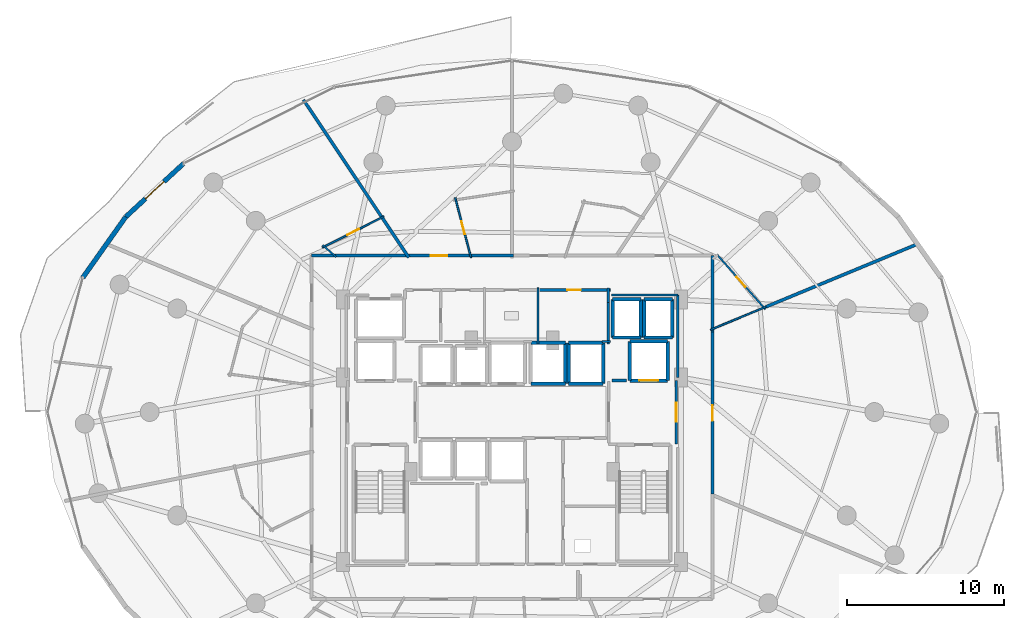
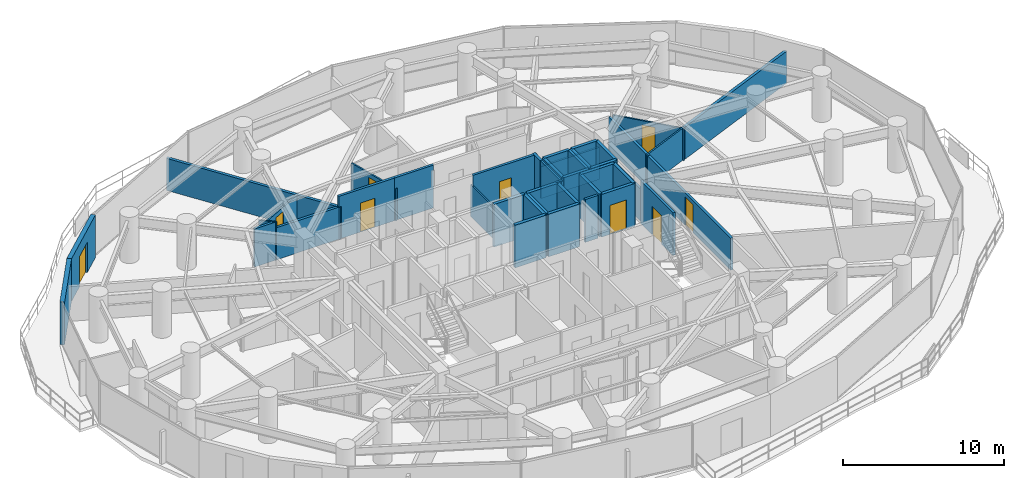
# One storey, part 30 of 35: 44 walls, 9 doors, 9 openings.
"""IFC4 building model written with IfcOpenShell, lengths in metres."""

import ifcopenshell
import ifcopenshell.guid

model = None  # the IFC model being written
_history = None  # IfcOwnerHistory: only IFC2X3 demands one
_inside = {}  # id of a spatial element -> (the spatial element, [elements in it])
_under = {}  # id of a project, library or spatial element -> (it, [spatial elements below it])
_declared = {}  # id of a project -> (the project, [libraries it declares])
_typed = {}  # id of a type object -> (the type object, [elements of that type])
_made_of = {}  # id of a material, layer set ... -> (it, [elements and type objects made of it])


def new_model(schema):
    """Start an empty IFC model of exactly this schema.

    Asked for "IFC4X3", IfcOpenShell would pick the latest addendum, in which some entities
    have other attributes; the version numbers below select the first issue.
    IFC2X3 requires an IfcOwnerHistory on every rooted entity: one is made here for all.
    """
    global model, _history
    if schema == "IFC4X3":
        model = ifcopenshell.file(schema_version=(4, 3, 0, 0))
    else:
        model = ifcopenshell.file(schema=schema)
    _inside.clear()
    _under.clear()
    _declared.clear()
    _typed.clear()
    _made_of.clear()
    _history = None
    if model.schema == "IFC2X3":
        org = make("IfcOrganization", Name="unknown")
        user = make(
            "IfcPersonAndOrganization",
            ThePerson=make("IfcPerson", FamilyName="unknown"),
            TheOrganization=org,
        )
        app = make(
            "IfcApplication",
            ApplicationDeveloper=org,
            Version="unknown",
            ApplicationFullName="unknown",
            ApplicationIdentifier="unknown",
        )
        _history = make(
            "IfcOwnerHistory",
            OwningUser=user,
            OwningApplication=app,
            ChangeAction="ADDED",
            CreationDate=0,
        )
    return model


def make(cls, **values):
    """One entity of the class cls with the attributes given. An attribute that is None is left unset."""
    return model.create_entity(
        cls, **{name: value for name, value in values.items() if value is not None}
    )


def rooted(cls, **values):
    """An entity with a GlobalId (a new one), such as an element, a storey or a relation."""
    return make(cls, GlobalId=ifcopenshell.guid.new(), OwnerHistory=_history, **values)


def si_unit(unit_type, name, prefix=None):
    """IfcSIUnit, for example si_unit("LENGTHUNIT", "METRE", prefix="MILLI")."""
    return make("IfcSIUnit", UnitType=unit_type, Prefix=prefix, Name=name)


def assignment(units):
    """IfcUnitAssignment: the units of a project."""
    return None if units is None else make("IfcUnitAssignment", Units=units)


def point(xyz):
    """IfcCartesianPoint."""
    return None if xyz is None else make("IfcCartesianPoint", Coordinates=xyz)


def direction(xyz):
    """IfcDirection."""
    return None if xyz is None else make("IfcDirection", DirectionRatios=xyz)


def frame(location, z_axis=None, x_axis=None):
    """IfcAxis2Placement3D, a coordinate frame: its origin and axes. An axis left out is left unset."""
    return make(
        "IfcAxis2Placement3D",
        Location=point(location),
        Axis=direction(z_axis),
        RefDirection=direction(x_axis),
    )


def frame_2d(location, x_axis=None):
    """IfcAxis2Placement2D, a coordinate frame in the plane: its origin and x axis."""
    return make(
        "IfcAxis2Placement2D", Location=point(location), RefDirection=direction(x_axis)
    )


def origin():
    """The frame at (0, 0, 0) with its axes left unset."""
    return frame((0.0, 0.0, 0.0))


def place(relative_to, where):
    """IfcLocalPlacement: puts the frame where relative to a parent placement (None: the world)."""
    return make(
        "IfcLocalPlacement", PlacementRelTo=relative_to, RelativePlacement=where
    )


def context(
    kind, dimensions, precision=None, world=None, true_north=None, identifier=None
):
    """IfcGeometricRepresentationContext, for example the 3D "Model" context."""
    return make(
        "IfcGeometricRepresentationContext",
        ContextIdentifier=identifier,
        ContextType=kind,
        CoordinateSpaceDimension=dimensions,
        Precision=precision,
        WorldCoordinateSystem=world,
        TrueNorth=true_north,
    )


def subcontext(parent, identifier, kind, view, scale=None):
    """IfcGeometricRepresentationSubContext, for example "Body" below "Model"."""
    return make(
        "IfcGeometricRepresentationSubContext",
        ContextIdentifier=identifier,
        ContextType=kind,
        ParentContext=parent,
        TargetScale=scale,
        TargetView=view,
    )


def project(units=None, contexts=None):
    """IfcProject with its units and contexts."""
    return rooted(
        "IfcProject",
        Name="project",
        RepresentationContexts=contexts,
        UnitsInContext=assignment(units),
    )


def spatial(cls, under=None, at=None, **own):
    """A site, building, storey or space (cls), placed at a placement, below another one or the project."""
    s = rooted(cls, ObjectPlacement=at, **own)
    if under is not None:
        _under.setdefault(under.id(), (under, []))[1].append(s)
    return s


def profile(cls, at=None, kind="AREA", **sizes):
    """A parametric profile (cls). Its sizes go by their IFC names, for example OverallWidth=200.0."""
    return make(cls, ProfileType=kind, Position=at, **sizes)


def rectangle(**sizes):
    """IfcRectangleProfileDef."""
    return profile("IfcRectangleProfileDef", **sizes)


def extrude(swept, where, along, depth):
    """IfcExtrudedAreaSolid: the profile swept, set in the frame where, extruded along a direction by depth."""
    return make(
        "IfcExtrudedAreaSolid",
        SweptArea=swept,
        Position=where,
        ExtrudedDirection=direction(along),
        Depth=depth,
    )


def shape(context_of_items, identifier, shape_type, items):
    """IfcShapeRepresentation: the items that make up one representation, for example the "Body"."""
    return make(
        "IfcShapeRepresentation",
        ContextOfItems=context_of_items,
        RepresentationIdentifier=identifier,
        RepresentationType=shape_type,
        Items=items,
    )


def material(Name=None, Category=None):
    """IfcMaterial."""
    return make("IfcMaterial", Name=Name, Category=Category)


def layer(
    of_material, thickness, ventilated=None, Name=None, Category=None, Priority=None
):
    """IfcMaterialLayer: one layer of a wall or slab, of a material (None: an air gap)."""
    return make(
        "IfcMaterialLayer",
        Material=of_material,
        LayerThickness=thickness,
        IsVentilated=ventilated,
        Name=Name,
        Category=Category,
        Priority=Priority,
    )


def layer_set(layers, Name=None):
    """IfcMaterialLayerSet."""
    return make("IfcMaterialLayerSet", MaterialLayers=layers, LayerSetName=Name)


def made_of(thing, what):
    """Note that an element or type object is made of a material, layer set ...; save() writes the relation."""
    if what is not None:
        _made_of.setdefault(what.id(), (what, []))[1].append(thing)
    return thing


def type_object(cls, material=None, **own):
    """A type object (cls), such as IfcWallType, which elements share."""
    return made_of(rooted(cls, **own), material)


def element(
    cls,
    number,
    at=None,
    inside=None,
    cuts=None,
    type_object=None,
    material=None,
    context=None,
    identifier="Body",
    shape_type=None,
    held_by="IfcProductDefinitionShape",
    body=None,
    shapes=None,
    **own,
):
    """One element of the class cls, such as IfcWall. Its Tag is "e" and its number.

    at: its placement. inside: the storey or other place that contains it. cuts: it is an
    opening in that element (IfcRelVoidsElement). A single representation is given by context,
    identifier, shape_type and body (its items); several are given by shapes. held_by: the class
    of the entity that holds the representations. save() writes the other relations.
    """
    e = rooted(cls, Tag="e%d" % number, ObjectPlacement=at, **own)
    if body is not None:
        shapes = [shape(context, identifier, shape_type, body)]
    if shapes is not None:
        e.Representation = make(held_by, Representations=shapes)
    if inside is not None:
        _inside.setdefault(inside.id(), (inside, []))[1].append(e)
    if cuts is not None:
        rooted(
            "IfcRelVoidsElement", RelatingBuildingElement=cuts, RelatedOpeningElement=e
        )
    if type_object is not None:
        _typed.setdefault(type_object.id(), (type_object, []))[1].append(e)
    return made_of(e, material)


def fill(opening, filler):
    """IfcRelFillsElement: the door or window that sits in an opening."""
    return rooted(
        "IfcRelFillsElement",
        RelatingOpeningElement=opening,
        RelatedBuildingElement=filler,
    )


def aggregate(whole, parts):
    """IfcRelAggregates: a whole, such as a stair, and the parts it consists of."""
    return rooted("IfcRelAggregates", RelatingObject=whole, RelatedObjects=parts)


def save(model, path):
    """Write the relations noted so far, then the file.

    IfcRelAggregates (storeys below a building ...), IfcRelContainedInSpatialStructure (elements
    in a storey), IfcRelDefinesByType, IfcRelAssociatesMaterial and IfcRelDeclares: one each for
    every whole, place, type object, material and project.
    """
    for whole, parts in _under.values():
        aggregate(whole, parts)
    for where, things in _inside.values():
        rooted(
            "IfcRelContainedInSpatialStructure",
            RelatedElements=things,
            RelatingStructure=where,
        )
    for kind, things in _typed.values():
        rooted("IfcRelDefinesByType", RelatedObjects=things, RelatingType=kind)
    for what, things in _made_of.values():
        rooted("IfcRelAssociatesMaterial", RelatedObjects=things, RelatingMaterial=what)
    for by, libraries in _declared.values():
        rooted("IfcRelDeclares", RelatingContext=by, RelatedDefinitions=libraries)
    model.write(path)


model = new_model("IFC4")

# Units and contexts
model_context = context("Model", 3, precision=1e-05, world=origin(), true_north=direction((0.0, 1.0)))
body_context = subcontext(model_context, "Body", "Model", "MODEL_VIEW")
ifc_project = project(units=[si_unit("LENGTHUNIT", "METRE"), si_unit("AREAUNIT", "SQUARE_METRE"), si_unit("VOLUMEUNIT", "CUBIC_METRE"), si_unit("PLANEANGLEUNIT", "RADIAN"), si_unit("MASSUNIT", "GRAM", prefix="KILO")], contexts=[model_context])

# Site, building, storey
site_placement = place(None, origin())
site = spatial("IfcSite", under=ifc_project, at=site_placement, CompositionType="ELEMENT")
building_placement = place(site_placement, origin())
building = spatial("IfcBuilding", under=site, at=building_placement, Name="Vorneva Point Tower", CompositionType="ELEMENT")
storey_placement = place(building_placement, frame((0.0, 0.0, 48.5)))
storey = spatial("IfcBuildingStorey", under=building, at=storey_placement, Name="L12", CompositionType="ELEMENT", Elevation=48.5)

# Wall, opening, door
ifc_material_1 = material(Name="Concrete B60 (C50/60)", Category="concrete")
ifc_layer_1 = layer(ifc_material_1, 0.5)
ifc_layer_set_1 = layer_set([ifc_layer_1], Name="Concrete B60 (C50/60)")
wall_type_1 = type_object("IfcWallType", Name="WL-CORE-500", PredefinedType="SHEAR", material=ifc_layer_set_1)
wall_1_placement = place(storey_placement, frame((45.5, 28.0, 0.0), z_axis=(0.0, 0.0, 1.0), x_axis=(1.0, 0.0, 0.0)))
wall_1 = element("IfcWall", 1, at=wall_1_placement, inside=storey, type_object=wall_type_1, Name="L12 Lift FFL2 Shaft Wall -Y", PredefinedType="SHEAR", context=body_context, shape_type="SweptSolid", body=[
    extrude(rectangle(XDim=2.39990234375, YDim=0.219970703125, at=frame_2d((1.199951171875, 0.0))), origin(), (0.0, 0.0, 1.0), 3.239990234375),
])
opening_1_placement = place(wall_1_placement, frame((0.60009765625, 0.0, 0.0)))
opening_1 = element("IfcOpeningElement", 2, at=opening_1_placement, cuts=wall_1, Name="Opening LD-02", PredefinedType="OPENING", context=body_context, shape_type="SweptSolid", body=[
    extrude(rectangle(XDim=1.199951171875, YDim=2.199951171875, at=frame_2d((0.60009765625, 1.10009765625))), frame((0.0, 0.125, 0.0), z_axis=(0.0, -1.0, 0.0), x_axis=(1.0, 0.0, 0.0)), (0.0, 0.0, 1.0), 0.249755859375),
])
ifc_material_2 = material(Name="Brushed stainless steel S304", Category="steel")
door_type_1 = type_object("IfcDoorType", Name="LD-FIRE-1200", OperationType="SLIDING_TO_LEFT", PredefinedType="DOOR", material=ifc_material_2)
door_1_placement = place(opening_1_placement, origin())
door_1 = element("IfcDoor", 3, at=door_1_placement, inside=storey, type_object=door_type_1, Name="L12 Lift FFL2 Sliding Landing Door", OperationType="SLIDING_TO_LEFT", OverallHeight=2.199951171875, OverallWidth=1.199951171875, PredefinedType="DOOR", context=body_context, shape_type="SweptSolid", body=[
    extrude(rectangle(XDim=1.199951171875, YDim=2.199951171875, at=frame_2d((0.60009765625, 1.10009765625))), frame((0.0, 0.02490234375, 0.0), z_axis=(0.0, -1.0, 0.0), x_axis=(1.0, 0.0, 0.0)), (0.0, 0.0, 1.0), 0.050048828125),
])
fill(opening_1, door_1)

# Walls
wall_2_placement = place(storey_placement, frame((47.89990234375, 28.0, 0.0), z_axis=(0.0, 0.0, 1.0), x_axis=(0.0, 1.0, 0.0)))
element("IfcWall", 4, at=wall_2_placement, inside=storey, type_object=wall_type_1, Name="L12 Lift FFL2 Shaft Wall +X", PredefinedType="SHEAR", context=body_context, shape_type="SweptSolid", body=[
    extrude(rectangle(XDim=2.5, YDim=0.219970703125, at=frame_2d((1.25, 0.0))), origin(), (0.0, 0.0, 1.0), 3.239990234375),
])
wall_3_placement = place(storey_placement, frame((47.89990234375, 30.5, 0.0), z_axis=(0.0, 0.0, 1.0), x_axis=(-1.0, 0.0, 0.0)))
element("IfcWall", 5, at=wall_3_placement, inside=storey, type_object=wall_type_1, Name="L12 Lift FFL2 Shaft Wall +Y", PredefinedType="SHEAR", context=body_context, shape_type="SweptSolid", body=[
    extrude(rectangle(XDim=2.39990234375, YDim=0.219970703125, at=frame_2d((1.199951171875, 0.0))), origin(), (0.0, 0.0, 1.0), 3.239990234375),
])
wall_4_placement = place(storey_placement, frame((45.5, 30.5, 0.0), z_axis=(0.0, 0.0, 1.0), x_axis=(0.0, -1.0, 0.0)))
element("IfcWall", 6, at=wall_4_placement, inside=storey, type_object=wall_type_1, Name="L12 Lift FFL2 Shaft Wall -X", PredefinedType="SHEAR", context=body_context, shape_type="SweptSolid", body=[
    extrude(rectangle(XDim=2.5, YDim=0.219970703125, at=frame_2d((1.25, 0.0))), origin(), (0.0, 0.0, 1.0), 3.239990234375),
])

# Wall, opening, door
ifc_material_3 = material(Name="Precast concrete B50 (C40/50)", Category="concrete")
ifc_layer_2 = layer(ifc_material_3, 0.300048828125)
ifc_layer_set_2 = layer_set([ifc_layer_2], Name="Precast concrete B50 (C40/50)")
wall_type_2 = type_object("IfcWallType", Name="WL-EXT-300", PredefinedType="STANDARD", material=ifc_layer_set_2)
wall_5_placement = place(storey_placement, frame((17.10498046875, 41.8037109375, 0.0), z_axis=(0.0, 0.0, 1.0), x_axis=(-0.735342629635, -0.677695519419, 0.0)))
wall_5 = element("IfcWall", 7, at=wall_5_placement, inside=storey, type_object=wall_type_2, Name="L12 Pale-Metal Facade Spandrel Wall 07.1", PredefinedType="STANDARD", context=body_context, shape_type="SweptSolid", body=[
    extrude(rectangle(XDim=4.997314453125, YDim=0.300048828125, at=frame_2d((2.49853515625, 0.0))), origin(), (0.0, 0.0, 1.0), 3.239990234375),
])
opening_2_placement = place(wall_5_placement, frame((1.69873046875, 0.0, 0.0)))
opening_2 = element("IfcOpeningElement", 8, at=opening_2_placement, cuts=wall_5, Name="Opening BD-01", PredefinedType="OPENING", context=body_context, shape_type="SweptSolid", body=[
    extrude(rectangle(XDim=1.60009765625, YDim=2.300048828125, at=frame_2d((0.800048828125, 1.14990234375))), frame((0.0, 0.1650390625, 0.0), z_axis=(0.0, -1.0, 0.0), x_axis=(1.0, 0.0, 0.0)), (0.0, 0.0, 1.0), 0.329833984375),
])
ifc_material_4 = material(Name="Pale anodised aluminium", Category="aluminium")
door_type_2 = type_object("IfcDoorType", Name="DR-BAL-1600", OperationType="SLIDING_TO_LEFT", PredefinedType="DOOR", material=ifc_material_4)
door_2_placement = place(opening_2_placement, origin())
door_2 = element("IfcDoor", 9, at=door_2_placement, inside=storey, type_object=door_type_2, Name="L12 Balcony Terrace Access Door 07", OperationType="SLIDING_TO_LEFT", OverallHeight=2.300048828125, OverallWidth=1.60009765625, PredefinedType="DOOR", context=body_context, shape_type="SweptSolid", body=[
    extrude(rectangle(XDim=1.60009765625, YDim=2.300048828125, at=frame_2d((0.800048828125, 1.14990234375))), frame((0.0, 0.02490234375, 0.0), z_axis=(0.0, -1.0, 0.0), x_axis=(1.0, 0.0, 0.0)), (0.0, 0.0, 1.0), 0.050048828125),
])
fill(opening_2, door_2)

# Walls
wall_6_placement = place(storey_placement, frame((13.43017578125, 38.4169921875, 0.0), z_axis=(0.0, 0.0, 1.0), x_axis=(-0.577130815624, -0.816651713803, 0.0)))
element("IfcWall", 10, at=wall_6_placement, inside=storey, type_object=wall_type_2, Name="L12 Pale-Metal Facade Spandrel Wall 07.2", PredefinedType="STANDARD", context=body_context, shape_type="SweptSolid", body=[
    extrude(rectangle(XDim=4.7314453125, YDim=0.300048828125, at=frame_2d((2.36572265625, 0.0))), origin(), (0.0, 0.0, 1.0), 3.239990234375),
])
ifc_material_5 = material(Name="Fire-rated acoustic gypsum stud partition", Category="gypsum")
ifc_layer_3 = layer(ifc_material_5, 0.110107421875)
ifc_layer_set_3 = layer_set([ifc_layer_3], Name="Fire-rated acoustic gypsum stud partition")
wall_type_3 = type_object("IfcWallType", Name="WL-PART-110", PredefinedType="PARTITIONING", material=ifc_layer_set_3)
wall_7_placement = place(storey_placement, frame((39.64990234375, 30.340087890625, 0.0), z_axis=(0.0, 0.0, 1.0), x_axis=(0.0, 1.0, 0.0)))
element("IfcWall", 11, at=wall_7_placement, inside=storey, type_object=wall_type_3, Name="L12 Interior Partition 019", PredefinedType="PARTITIONING", context=body_context, shape_type="SweptSolid", body=[
    extrude(rectangle(XDim=3.559814453125, YDim=0.110107421875, at=frame_2d((1.77978515625, 0.0))), origin(), (0.0, 0.0, 1.0), 2.431884765625),
])

# Wall, opening, door
wall_8_placement = place(storey_placement, frame((51.03125, 36.02978515625, 0.0), z_axis=(0.0, 0.0, 1.0), x_axis=(0.662106207726, -0.749410014405, 0.0)))
wall_8 = element("IfcWall", 12, at=wall_8_placement, inside=storey, type_object=wall_type_3, Name="L12 Interior Partition 050", PredefinedType="PARTITIONING", context=body_context, shape_type="SweptSolid", body=[
    extrude(rectangle(XDim=4.66455078125, YDim=0.110107421875, at=frame_2d((2.332275390625, 0.0))), origin(), (0.0, 0.0, 1.0), 2.431884765625),
])
opening_3_placement = place(wall_8_placement, frame((1.9072265625, 0.0, 0.0)))
opening_3 = element("IfcOpeningElement", 13, at=opening_3_placement, cuts=wall_8, Name="Opening ID-02", PredefinedType="OPENING", context=body_context, shape_type="SweptSolid", body=[
    extrude(rectangle(XDim=0.85009765625, YDim=2.10009765625, at=frame_2d((0.425048828125, 1.050048828125))), frame((0.0, 0.06982421875, 0.0), z_axis=(0.0, -1.0, 0.0), x_axis=(1.0, 0.0, 0.0)), (0.0, 0.0, 1.0), 0.139892578125),
])
ifc_material_6 = material(Name="Engineered oak fire-rated door leaf", Category="wood")
door_type_3 = type_object("IfcDoorType", Name="DR-BATH-850", OperationType="NOTDEFINED", PredefinedType="DOOR", material=ifc_material_6)
door_3_placement = place(opening_3_placement, origin())
door_3 = element("IfcDoor", 14, at=door_3_placement, inside=storey, type_object=door_type_3, Name="L12 Door Corner Suite L12-01 / En-Suite Bathroom L12-01", OperationType="SINGLE_SWING_RIGHT", OverallHeight=2.10009765625, OverallWidth=0.85009765625, PredefinedType="DOOR", context=body_context, shape_type="SweptSolid", body=[
    extrude(rectangle(XDim=0.85009765625, YDim=2.10009765625, at=frame_2d((0.425048828125, 1.050048828125))), frame((0.0, 0.02490234375, 0.0), z_axis=(0.0, -1.0, 0.0), x_axis=(1.0, 0.0, 0.0)), (0.0, 0.0, 1.0), 0.050048828125),
])
fill(opening_3, door_3)

# Wall
wall_9_placement = place(storey_placement, frame((54.15625, 32.692626953125, 0.0), z_axis=(0.0, 0.0, 1.0), x_axis=(-0.923803754276, -0.382866326002, 0.0)))
element("IfcWall", 15, at=wall_9_placement, inside=storey, type_object=wall_type_3, Name="L12 Interior Partition 051", PredefinedType="PARTITIONING", context=body_context, shape_type="SweptSolid", body=[
    extrude(rectangle(XDim=3.8271484375, YDim=0.110107421875, at=frame_2d((1.91357421875, 0.0))), origin(), (0.0, 0.0, 1.0), 2.431884765625),
])

# Wall, opening, door
wall_10_placement = place(storey_placement, frame((35.39794921875, 35.814697265625, 0.0), z_axis=(0.0, 0.0, 1.0), x_axis=(-0.256396995263, 0.966571560113, 0.0)))
wall_10 = element("IfcWall", 16, at=wall_10_placement, inside=storey, type_object=wall_type_3, Name="L12 Interior Partition 060", PredefinedType="PARTITIONING", context=body_context, shape_type="SweptSolid", body=[
    extrude(rectangle(XDim=3.95068359375, YDim=0.110107421875, at=frame_2d((1.975341796875, 0.0))), origin(), (0.0, 0.0, 1.0), 2.431884765625),
])
opening_4_placement = place(wall_10_placement, frame((1.55029296875, 0.0, 0.0)))
opening_4 = element("IfcOpeningElement", 17, at=opening_4_placement, cuts=wall_10, Name="Opening ID-02", PredefinedType="OPENING", context=body_context, shape_type="SweptSolid", body=[
    extrude(rectangle(XDim=0.85009765625, YDim=2.10009765625, at=frame_2d((0.425048828125, 1.050048828125))), frame((0.0, 0.06982421875, 0.0), z_axis=(0.0, -1.0, 0.0), x_axis=(1.0, 0.0, 0.0)), (0.0, 0.0, 1.0), 0.139892578125),
])
door_4_placement = place(opening_4_placement, origin())
door_4 = element("IfcDoor", 18, at=door_4_placement, inside=storey, type_object=door_type_3, Name="L12 Door Executive Suite L12-03 / En-Suite Bathroom L12-03", OperationType="SINGLE_SWING_RIGHT", OverallHeight=2.10009765625, OverallWidth=0.85009765625, PredefinedType="DOOR", context=body_context, shape_type="SweptSolid", body=[
    extrude(rectangle(XDim=0.85009765625, YDim=2.10009765625, at=frame_2d((0.425048828125, 1.050048828125))), frame((0.0, 0.02490234375, 0.0), z_axis=(0.0, -1.0, 0.0), x_axis=(1.0, 0.0, 0.0)), (0.0, 0.0, 1.0), 0.050048828125),
])
fill(opening_4, door_4)

# Wall
wall_11_placement = place(storey_placement, frame((26.819091796875, 35.857421875, 0.0), z_axis=(0.0, 0.0, 1.0), x_axis=(-0.750624975639, 0.660728496394, 0.0)))
element("IfcWall", 19, at=wall_11_placement, inside=storey, type_object=wall_type_3, Name="L12 Interior Partition 063", PredefinedType="PARTITIONING", context=body_context, shape_type="SweptSolid", body=[
    extrude(rectangle(XDim=1.148681640625, YDim=0.110107421875, at=frame_2d((0.57421875, 0.0))), origin(), (0.0, 0.0, 1.0), 2.885986328125),
])

# Wall, opening, door
wall_12_placement = place(storey_placement, frame((25.93701171875, 36.460693359375, 0.0), z_axis=(0.0, 0.0, 1.0), x_axis=(0.892461080662, 0.451124394711, 0.0)))
wall_12 = element("IfcWall", 20, at=wall_12_placement, inside=storey, type_object=wall_type_3, Name="L12 Interior Partition 064", PredefinedType="PARTITIONING", context=body_context, shape_type="SweptSolid", body=[
    extrude(rectangle(XDim=4.39013671875, YDim=0.110107421875, at=frame_2d((2.195068359375, 0.0))), origin(), (0.0, 0.0, 1.0), 2.431884765625),
])
opening_5_placement = place(wall_12_placement, frame((1.77001953125, 0.0, 0.0)))
opening_5 = element("IfcOpeningElement", 21, at=opening_5_placement, cuts=wall_12, Name="Opening ID-02", PredefinedType="OPENING", context=body_context, shape_type="SweptSolid", body=[
    extrude(rectangle(XDim=0.85009765625, YDim=2.10009765625, at=frame_2d((0.425048828125, 1.050048828125))), frame((0.0, 0.06982421875, 0.0), z_axis=(0.0, -1.0, 0.0), x_axis=(1.0, 0.0, 0.0)), (0.0, 0.0, 1.0), 0.139892578125),
])
door_5_placement = place(opening_5_placement, origin())
door_5 = element("IfcDoor", 22, at=door_5_placement, inside=storey, type_object=door_type_3, Name="L12 Door Corner Suite L12-04 / En-Suite Bathroom L12-04", OperationType="SINGLE_SWING_LEFT", OverallHeight=2.10009765625, OverallWidth=0.85009765625, PredefinedType="DOOR", context=body_context, shape_type="SweptSolid", body=[
    extrude(rectangle(XDim=0.85009765625, YDim=2.10009765625, at=frame_2d((0.425048828125, 1.050048828125))), frame((0.0, 0.02490234375, 0.0), z_axis=(0.0, -1.0, 0.0), x_axis=(1.0, 0.0, 0.0)), (0.0, 0.0, 1.0), 0.050048828125),
])
fill(opening_5, door_5)

# Walls
ifc_layer_4 = layer(ifc_material_5, 0.139892578125)
ifc_layer_set_4 = layer_set([ifc_layer_4], Name="Fire-rated acoustic gypsum stud partition")
wall_type_4 = type_object("IfcWallType", Name="WL-PART-140", PredefinedType="PARTITIONING", material=ifc_layer_set_4)
wall_13_placement = place(storey_placement, frame((43.735107421875, 30.47998046875, 0.0), z_axis=(0.0, 0.0, 1.0), x_axis=(1.0, 0.0, 0.0)))
element("IfcWall", 23, at=wall_13_placement, inside=storey, type_object=wall_type_4, Name="L12 Interior Closure Partition 095", PredefinedType="PARTITIONING", context=body_context, shape_type="SweptSolid", body=[
    extrude(rectangle(XDim=0.52490234375, YDim=0.139892578125, at=frame_2d((0.262451171875, 0.0))), origin(), (0.0, 0.0, 1.0), 3.239990234375),
])
wall_14_placement = place(storey_placement, frame((44.1201171875, 30.340087890625, 0.0), z_axis=(0.0, 0.0, 1.0), x_axis=(0.0, 1.0, 0.0)))
element("IfcWall", 24, at=wall_14_placement, inside=storey, type_object=wall_type_4, Name="L12 Interior Closure Partition 096", PredefinedType="PARTITIONING", context=body_context, shape_type="SweptSolid", body=[
    extrude(rectangle(XDim=2.659912109375, YDim=0.139892578125, at=frame_2d((1.330078125, 0.0))), origin(), (0.0, 0.0, 1.0), 3.239990234375),
])
wall_15_placement = place(storey_placement, frame((44.340087890625, 33.449951171875, 0.0), z_axis=(0.0, 0.0, 1.0), x_axis=(1.0, 0.0, 0.0)))
element("IfcWall", 25, at=wall_15_placement, inside=storey, type_object=wall_type_4, Name="L12 Interior Closure Partition 099", PredefinedType="PARTITIONING", context=body_context, shape_type="SweptSolid", body=[
    extrude(rectangle(XDim=4.2099609375, YDim=0.139892578125, at=frame_2d((2.10498046875, 0.0))), origin(), (0.0, 0.0, 1.0), 2.431884765625),
])
wall_16_placement = place(storey_placement, frame((48.550048828125, 33.449951171875, 0.0), z_axis=(0.0, 0.0, 1.0), x_axis=(0.0, -1.0, 0.0)))
element("IfcWall", 26, at=wall_16_placement, inside=storey, type_object=wall_type_4, Name="L12 Interior Closure Partition 100", PredefinedType="PARTITIONING", context=body_context, shape_type="SweptSolid", body=[
    extrude(rectangle(XDim=5.25390625, YDim=0.139892578125, at=frame_2d((2.626953125, 0.0))), origin(), (0.0, 0.0, 1.0), 2.431884765625),
])

# Wall, opening, door
ifc_material_7 = material(Name="Autoclaved aerated concrete blockwork", Category="masonry")
ifc_layer_5 = layer(ifc_material_7, 0.179931640625)
ifc_layer_set_5 = layer_set([ifc_layer_5], Name="Autoclaved aerated concrete blockwork")
wall_type_5 = type_object("IfcWallType", Name="WL-PART-180", PredefinedType="PARTITIONING", material=ifc_layer_set_5)
wall_17_placement = place(storey_placement, frame((48.449951171875, 23.949951171875, 0.0), z_axis=(0.0, 0.0, 1.0), x_axis=(0.0, 1.0, 0.0)))
wall_17 = element("IfcWall", 27, at=wall_17_placement, inside=storey, type_object=wall_type_5, Name="L12 Interior Partition 005", PredefinedType="PARTITIONING", context=body_context, shape_type="SweptSolid", body=[
    extrude(rectangle(XDim=4.050048828125, YDim=0.179931640625, at=frame_2d((2.02490234375, 0.0))), origin(), (0.0, 0.0, 1.0), 3.239990234375),
])
opening_6_placement = place(wall_17_placement, frame((1.425048828125, 0.0, 0.0)))
opening_6 = element("IfcOpeningElement", 28, at=opening_6_placement, cuts=wall_17, Name="Opening FD-02", PredefinedType="OPENING", context=body_context, shape_type="SweptSolid", body=[
    extrude(rectangle(XDim=1.199951171875, YDim=2.14990234375, at=frame_2d((0.60009765625, 1.074951171875))), frame((0.0, 0.10498046875, 0.0), z_axis=(0.0, -1.0, 0.0), x_axis=(1.0, 0.0, 0.0)), (0.0, 0.0, 1.0), 0.209716796875),
])
ifc_material_8 = material(Name="Fire-rated powder-coated steel", Category="steel")
door_type_4 = type_object("IfcDoorType", Name="DR-FFL-1200", OperationType="NOTDEFINED", PredefinedType="DOOR", material=ifc_material_8)
door_6_placement = place(opening_6_placement, origin())
door_6 = element("IfcDoor", 29, at=door_6_placement, inside=storey, type_object=door_type_4, Name="L12 Door East Firefighting Lobby / L12 Circulation Corridor", OperationType="SINGLE_SWING_LEFT", OverallHeight=2.14990234375, OverallWidth=1.199951171875, PredefinedType="DOOR", context=body_context, shape_type="SweptSolid", body=[
    extrude(rectangle(XDim=1.199951171875, YDim=2.14990234375, at=frame_2d((0.60009765625, 1.074951171875))), frame((0.0, 0.02490234375, 0.0), z_axis=(0.0, -1.0, 0.0), x_axis=(1.0, 0.0, 0.0)), (0.0, 0.0, 1.0), 0.050048828125),
])
fill(opening_6, door_6)

wall_18_placement = place(storey_placement, frame((44.260009765625, 33.760009765625, 0.0), z_axis=(0.0, 0.0, 1.0), x_axis=(-1.0, 0.0, 0.0)))
wall_18 = element("IfcWall", 30, at=wall_18_placement, inside=storey, type_object=wall_type_5, Name="L12 Interior Partition 021", PredefinedType="PARTITIONING", context=body_context, shape_type="SweptSolid", body=[
    extrude(rectangle(XDim=4.610107421875, YDim=0.179931640625, at=frame_2d((2.30517578125, 0.0))), origin(), (0.0, 0.0, 1.0), 3.239990234375),
])
opening_7_placement = place(wall_18_placement, frame((1.8798828125, 0.0, 0.0)))
opening_7 = element("IfcOpeningElement", 31, at=opening_7_placement, cuts=wall_18, Name="Opening ID-02", PredefinedType="OPENING", context=body_context, shape_type="SweptSolid", body=[
    extrude(rectangle(XDim=0.85009765625, YDim=2.10009765625, at=frame_2d((0.425048828125, 1.050048828125))), frame((0.0, 0.10498046875, 0.0), z_axis=(0.0, -1.0, 0.0), x_axis=(1.0, 0.0, 0.0)), (0.0, 0.0, 1.0), 0.209716796875),
])
door_7_placement = place(opening_7_placement, origin())
door_7 = element("IfcDoor", 32, at=door_7_placement, inside=storey, type_object=door_type_3, Name="L12 Door Public WC / L12 Circulation Corridor", OperationType="SINGLE_SWING_LEFT", OverallHeight=2.10009765625, OverallWidth=0.85009765625, PredefinedType="DOOR", context=body_context, shape_type="SweptSolid", body=[
    extrude(rectangle(XDim=0.85009765625, YDim=2.10009765625, at=frame_2d((0.425048828125, 1.050048828125))), frame((0.0, 0.02490234375, 0.0), z_axis=(0.0, -1.0, 0.0), x_axis=(1.0, 0.0, 0.0)), (0.0, 0.0, 1.0), 0.050048828125),
])
fill(opening_7, door_7)

# Walls
wall_19_placement = place(storey_placement, frame((44.1201171875, 32.969970703125, 0.0), z_axis=(0.0, 0.0, 1.0), x_axis=(0.0, 1.0, 0.0)))
element("IfcWall", 33, at=wall_19_placement, inside=storey, type_object=wall_type_5, Name="L12 Interior Partition 022", PredefinedType="PARTITIONING", context=body_context, shape_type="SweptSolid", body=[
    extrude(rectangle(XDim=0.929931640625, YDim=0.179931640625, at=frame_2d((0.46484375, 0.0))), origin(), (0.0, 0.0, 1.0), 3.239990234375),
])
wall_20_placement = place(storey_placement, frame((50.75, 31.0810546875, 0.0), z_axis=(0.0, 0.0, 1.0), x_axis=(0.0, 1.0, 0.0)))
element("IfcWall", 34, at=wall_20_placement, inside=storey, type_object=wall_type_5, Name="L12 Interior Partition 027", PredefinedType="PARTITIONING", context=body_context, shape_type="SweptSolid", body=[
    extrude(rectangle(XDim=4.864990234375, YDim=0.179931640625, at=frame_2d((2.4326171875, 0.0))), origin(), (0.0, 0.0, 1.0), 2.431884765625),
])

# Wall, opening, door
wall_21_placement = place(storey_placement, frame((35.422119140625, 35.949951171875, 0.0), z_axis=(0.0, 0.0, 1.0), x_axis=(-1.0, 0.0, 0.0)))
wall_21 = element("IfcWall", 35, at=wall_21_placement, inside=storey, type_object=wall_type_5, Name="L12 Interior Partition 030", PredefinedType="PARTITIONING", context=body_context, shape_type="SweptSolid", body=[
    extrude(rectangle(XDim=4.14208984375, YDim=0.179931640625, at=frame_2d((2.071044921875, 0.0))), origin(), (0.0, 0.0, 1.0), 3.239990234375),
])
opening_8_placement = place(wall_21_placement, frame((1.5458984375, 0.0, 0.0)))
opening_8 = element("IfcOpeningElement", 36, at=opening_8_placement, cuts=wall_21, Name="Opening UD-02", PredefinedType="OPENING", context=body_context, shape_type="SweptSolid", body=[
    extrude(rectangle(XDim=1.050048828125, YDim=2.199951171875, at=frame_2d((0.52490234375, 1.10009765625))), frame((0.0, 0.10498046875, 0.0), z_axis=(0.0, -1.0, 0.0), x_axis=(1.0, 0.0, 0.0)), (0.0, 0.0, 1.0), 0.209716796875),
])
door_type_5 = type_object("IfcDoorType", Name="DR-SUITE-1050", OperationType="NOTDEFINED", PredefinedType="DOOR", material=ifc_material_6)
door_8_placement = place(opening_8_placement, origin())
door_8 = element("IfcDoor", 37, at=door_8_placement, inside=storey, type_object=door_type_5, Name="L12 Door L12 Circulation Corridor / Executive Suite L12-03", OperationType="SINGLE_SWING_RIGHT", OverallHeight=2.199951171875, OverallWidth=1.050048828125, PredefinedType="DOOR", context=body_context, shape_type="SweptSolid", body=[
    extrude(rectangle(XDim=1.050048828125, YDim=2.199951171875, at=frame_2d((0.52490234375, 1.10009765625))), frame((0.0, 0.02490234375, 0.0), z_axis=(0.0, -1.0, 0.0), x_axis=(1.0, 0.0, 0.0)), (0.0, 0.0, 1.0), 0.050048828125),
])
fill(opening_8, door_8)

# Walls
wall_22_placement = place(storey_placement, frame((38.080078125, 35.949951171875, 0.0), z_axis=(0.0, 0.0, 1.0), x_axis=(-1.0, 0.0, 0.0)))
element("IfcWall", 38, at=wall_22_placement, inside=storey, type_object=wall_type_5, Name="L12 Interior Partition 031", PredefinedType="PARTITIONING", context=body_context, shape_type="SweptSolid", body=[
    extrude(rectangle(XDim=2.798095703125, YDim=0.179931640625, at=frame_2d((1.39892578125, 0.0))), origin(), (0.0, 0.0, 1.0), 3.239990234375),
])
wall_23_placement = place(storey_placement, frame((26.77392578125, 35.949951171875, 0.0), z_axis=(0.0, 0.0, 1.0), x_axis=(-1.0, 0.0, 0.0)))
element("IfcWall", 39, at=wall_23_placement, inside=storey, type_object=wall_type_5, Name="L12 Interior Partition 032", PredefinedType="PARTITIONING", context=body_context, shape_type="SweptSolid", body=[
    extrude(rectangle(XDim=1.52392578125, YDim=0.179931640625, at=frame_2d((0.761962890625, 0.0))), origin(), (0.0, 0.0, 1.0), 2.885986328125),
])
wall_24_placement = place(storey_placement, frame((31.419921875, 35.949951171875, 0.0), z_axis=(0.0, 0.0, 1.0), x_axis=(-1.0, 0.0, 0.0)))
element("IfcWall", 40, at=wall_24_placement, inside=storey, type_object=wall_type_5, Name="L12 Interior Partition 034", PredefinedType="PARTITIONING", context=body_context, shape_type="SweptSolid", body=[
    extrude(rectangle(XDim=4.785888671875, YDim=0.179931640625, at=frame_2d((2.39306640625, 0.0))), origin(), (0.0, 0.0, 1.0), 2.431884765625),
])

# Wall, opening, door
wall_25_placement = place(storey_placement, frame((50.75, 20.779052734375, 0.0), z_axis=(0.0, 0.0, 1.0), x_axis=(0.0, 1.0, 0.0)))
wall_25 = element("IfcWall", 41, at=wall_25_placement, inside=storey, type_object=wall_type_5, Name="L12 Interior Partition 049", PredefinedType="PARTITIONING", context=body_context, shape_type="SweptSolid", body=[
    extrude(rectangle(XDim=10.302001953125, YDim=0.179931640625, at=frame_2d((5.15087890625, 0.0))), origin(), (0.0, 0.0, 1.0), 2.431884765625),
])
opening_9_placement = place(wall_25_placement, frame((4.65087890625, 0.0, 0.0)))
opening_9 = element("IfcOpeningElement", 42, at=opening_9_placement, cuts=wall_25, Name="Opening UD-01", PredefinedType="OPENING", context=body_context, shape_type="SweptSolid", body=[
    extrude(rectangle(XDim=1.0, YDim=2.14990234375, at=frame_2d((0.5, 1.074951171875))), frame((0.0, 0.10498046875, 0.0), z_axis=(0.0, -1.0, 0.0), x_axis=(1.0, 0.0, 0.0)), (0.0, 0.0, 1.0), 0.209716796875),
])
door_type_6 = type_object("IfcDoorType", Name="DR-UNIT-1000", OperationType="NOTDEFINED", PredefinedType="DOOR", material=ifc_material_6)
door_9_placement = place(opening_9_placement, origin())
door_9 = element("IfcDoor", 43, at=door_9_placement, inside=storey, type_object=door_type_6, Name="L12 Door L12 Circulation Corridor / Hotel Club Lounge L12-10", OperationType="SINGLE_SWING_LEFT", OverallHeight=2.14990234375, OverallWidth=1.0, PredefinedType="DOOR", context=body_context, shape_type="SweptSolid", body=[
    extrude(rectangle(XDim=1.0, YDim=2.14990234375, at=frame_2d((0.5, 1.074951171875))), frame((0.0, 0.02490234375, 0.0), z_axis=(0.0, -1.0, 0.0), x_axis=(1.0, 0.0, 0.0)), (0.0, 0.0, 1.0), 0.050048828125),
])
fill(opening_9, door_9)

# Walls
wall_26_placement = place(storey_placement, frame((45.280029296875, 28.0, 0.0), z_axis=(0.0, 0.0, 1.0), x_axis=(-1.0, 0.0, 0.0)))
element("IfcWall", 44, at=wall_26_placement, inside=storey, type_object=wall_type_5, Name="L12 Interior Closure Partition 090", PredefinedType="PARTITIONING", context=body_context, shape_type="SweptSolid", body=[
    extrude(rectangle(XDim=0.9150390625, YDim=0.179931640625, at=frame_2d((0.45751953125, 0.0))), origin(), (0.0, 0.0, 1.0), 3.239990234375),
])
ifc_layer_6 = layer(ifc_material_7, 0.199951171875)
ifc_layer_set_6 = layer_set([ifc_layer_6], Name="Autoclaved aerated concrete blockwork")
wall_type_6 = type_object("IfcWallType", Name="WL-PART-200", PredefinedType="PARTITIONING", material=ifc_layer_set_6)
wall_27_placement = place(storey_placement, frame((54.156494140625, 32.692138671875, 0.0), z_axis=(0.0, 0.0, 1.0), x_axis=(0.923866486063, 0.38271492776, 0.0)))
element("IfcWall", 45, at=wall_27_placement, inside=storey, type_object=wall_type_6, Name="L12 Interior Partition 053", PredefinedType="PARTITIONING", context=body_context, shape_type="SweptSolid", body=[
    extrude(rectangle(XDim=10.4306640625, YDim=0.199951171875, at=frame_2d((5.21533203125, 0.0))), origin(), (0.0, 0.0, 1.0), 2.431884765625),
])
wall_28_placement = place(storey_placement, frame((24.73291015625, 45.85595703125, 0.0), z_axis=(0.0, 0.0, 1.0), x_axis=(0.555564858458, -0.831473203444, 0.0)))
element("IfcWall", 46, at=wall_28_placement, inside=storey, type_object=wall_type_6, Name="L12 Interior Partition 061", PredefinedType="PARTITIONING", context=body_context, shape_type="SweptSolid", body=[
    extrude(rectangle(XDim=9.053955078125, YDim=0.199951171875, at=frame_2d((4.52685546875, 0.0))), origin(), (0.0, 0.0, 1.0), 2.431884765625),
])
wall_29_placement = place(storey_placement, frame((29.68505859375, 38.4443359375, 0.0), z_axis=(0.0, 0.0, 1.0), x_axis=(0.555596981897, -0.831451738652, 0.0)))
element("IfcWall", 47, at=wall_29_placement, inside=storey, type_object=wall_type_6, Name="L12 Interior Partition 062", PredefinedType="PARTITIONING", context=body_context, shape_type="SweptSolid", body=[
    extrude(rectangle(XDim=3.14013671875, YDim=0.199951171875, at=frame_2d((1.570068359375, 0.0))), origin(), (0.0, 0.0, 1.0), 2.431884765625),
])
ifc_material_9 = material(Name="Concrete B50 (C40/50)", Category="concrete")
ifc_layer_7 = layer(ifc_material_9, 0.219970703125)
ifc_layer_set_7 = layer_set([ifc_layer_7], Name="Concrete B50 (C40/50)")
wall_type_7 = type_object("IfcWallType", Name="WL-SHFT-220", PredefinedType="SOLIDWALL", material=ifc_layer_set_7)
wall_30_placement = place(storey_placement, frame((39.199951171875, 27.800048828125, 0.0), z_axis=(0.0, 0.0, 1.0), x_axis=(1.0, 0.0, 0.0)))
element("IfcWall", 48, at=wall_30_placement, inside=storey, type_object=wall_type_7, Name="L12 Lift PL7 Shaft Wall -Y", PredefinedType="SOLIDWALL", context=body_context, shape_type="SweptSolid", body=[
    extrude(rectangle(XDim=2.199951171875, YDim=0.219970703125, at=frame_2d((1.10009765625, 0.0))), origin(), (0.0, 0.0, 1.0), 3.239990234375),
])
wall_31_placement = place(storey_placement, frame((41.39990234375, 27.800048828125, 0.0), z_axis=(0.0, 0.0, 1.0), x_axis=(0.0, 1.0, 0.0)))
element("IfcWall", 49, at=wall_31_placement, inside=storey, type_object=wall_type_7, Name="L12 Lift PL7 Shaft Wall +X", PredefinedType="SOLIDWALL", context=body_context, shape_type="SweptSolid", body=[
    extrude(rectangle(XDim=2.599853515625, YDim=0.219970703125, at=frame_2d((1.2998046875, 0.0))), origin(), (0.0, 0.0, 1.0), 3.239990234375),
])
for number, where, z_axis, x_axis, name in (
    (50, (41.39990234375, 30.39990234375, 0.0), (0.0, 0.0, 1.0), (-1.0, 0.0, 0.0), "L12 Lift PL7 Shaft Wall +Y"),
    (51, (41.60009765625, 27.800048828125, 0.0), (0.0, 0.0, 1.0), (1.0, 0.0, 0.0), "L12 Lift PL8 Shaft Wall -Y"),
):
    element("IfcWall", number, at=place(storey_placement, frame(where, z_axis=z_axis, x_axis=x_axis)), inside=storey, type_object=wall_type_7, Name=name, PredefinedType="SOLIDWALL", context=body_context, shape_type="SweptSolid", body=[
        extrude(rectangle(XDim=2.199951171875, YDim=0.219970703125, at=frame_2d((1.10009765625, 0.0))), origin(), (0.0, 0.0, 1.0), 3.239990234375),
    ])
wall_32_placement = place(storey_placement, frame((43.800048828125, 27.800048828125, 0.0), z_axis=(0.0, 0.0, 1.0), x_axis=(0.0, 1.0, 0.0)))
element("IfcWall", 52, at=wall_32_placement, inside=storey, type_object=wall_type_7, Name="L12 Lift PL8 Shaft Wall +X", PredefinedType="SOLIDWALL", context=body_context, shape_type="SweptSolid", body=[
    extrude(rectangle(XDim=2.599853515625, YDim=0.219970703125, at=frame_2d((1.2998046875, 0.0))), origin(), (0.0, 0.0, 1.0), 3.239990234375),
])
wall_33_placement = place(storey_placement, frame((43.800048828125, 30.39990234375, 0.0), z_axis=(0.0, 0.0, 1.0), x_axis=(-1.0, 0.0, 0.0)))
element("IfcWall", 53, at=wall_33_placement, inside=storey, type_object=wall_type_7, Name="L12 Lift PL8 Shaft Wall +Y", PredefinedType="SOLIDWALL", context=body_context, shape_type="SweptSolid", body=[
    extrude(rectangle(XDim=2.199951171875, YDim=0.219970703125, at=frame_2d((1.10009765625, 0.0))), origin(), (0.0, 0.0, 1.0), 3.239990234375),
])
wall_34_placement = place(storey_placement, frame((41.60009765625, 30.39990234375, 0.0), z_axis=(0.0, 0.0, 1.0), x_axis=(0.0, -1.0, 0.0)))
element("IfcWall", 54, at=wall_34_placement, inside=storey, type_object=wall_type_7, Name="L12 Lift PL8 Shaft Wall -X", PredefinedType="SOLIDWALL", context=body_context, shape_type="SweptSolid", body=[
    extrude(rectangle(XDim=2.599853515625, YDim=0.219970703125, at=frame_2d((1.2998046875, 0.0))), origin(), (0.0, 0.0, 1.0), 3.239990234375),
])
wall_35_placement = place(storey_placement, frame((44.39990234375, 30.739990234375, 0.0), z_axis=(0.0, 0.0, 1.0), x_axis=(1.0, 0.0, 0.0)))
element("IfcWall", 55, at=wall_35_placement, inside=storey, type_object=wall_type_7, Name="L12 Lift EX1 Shaft Wall -Y", PredefinedType="SOLIDWALL", context=body_context, shape_type="SweptSolid", body=[
    extrude(rectangle(XDim=1.800048828125, YDim=0.219970703125, at=frame_2d((0.89990234375, 0.0))), origin(), (0.0, 0.0, 1.0), 3.239990234375),
])
wall_36_placement = place(storey_placement, frame((46.199951171875, 30.739990234375, 0.0), z_axis=(0.0, 0.0, 1.0), x_axis=(0.0, 1.0, 0.0)))
element("IfcWall", 56, at=wall_36_placement, inside=storey, type_object=wall_type_7, Name="L12 Lift EX1 Shaft Wall +X", PredefinedType="SOLIDWALL", context=body_context, shape_type="SweptSolid", body=[
    extrude(rectangle(XDim=2.419921875, YDim=0.219970703125, at=frame_2d((1.2099609375, 0.0))), origin(), (0.0, 0.0, 1.0), 3.239990234375),
])
wall_37_placement = place(storey_placement, frame((46.199951171875, 33.159912109375, 0.0), z_axis=(0.0, 0.0, 1.0), x_axis=(-1.0, 0.0, 0.0)))
element("IfcWall", 57, at=wall_37_placement, inside=storey, type_object=wall_type_7, Name="L12 Lift EX1 Shaft Wall +Y", PredefinedType="SOLIDWALL", context=body_context, shape_type="SweptSolid", body=[
    extrude(rectangle(XDim=1.800048828125, YDim=0.219970703125, at=frame_2d((0.89990234375, 0.0))), origin(), (0.0, 0.0, 1.0), 3.239990234375),
])
wall_38_placement = place(storey_placement, frame((44.39990234375, 33.159912109375, 0.0), z_axis=(0.0, 0.0, 1.0), x_axis=(0.0, -1.0, 0.0)))
element("IfcWall", 58, at=wall_38_placement, inside=storey, type_object=wall_type_7, Name="L12 Lift EX1 Shaft Wall -X", PredefinedType="SOLIDWALL", context=body_context, shape_type="SweptSolid", body=[
    extrude(rectangle(XDim=2.419921875, YDim=0.219970703125, at=frame_2d((1.2099609375, 0.0))), origin(), (0.0, 0.0, 1.0), 3.239990234375),
])
wall_39_placement = place(storey_placement, frame((46.39990234375, 30.739990234375, 0.0), z_axis=(0.0, 0.0, 1.0), x_axis=(1.0, 0.0, 0.0)))
element("IfcWall", 59, at=wall_39_placement, inside=storey, type_object=wall_type_7, Name="L12 Lift EX2 Shaft Wall -Y", PredefinedType="SOLIDWALL", context=body_context, shape_type="SweptSolid", body=[
    extrude(rectangle(XDim=1.800048828125, YDim=0.219970703125, at=frame_2d((0.89990234375, 0.0))), origin(), (0.0, 0.0, 1.0), 3.239990234375),
])
wall_40_placement = place(storey_placement, frame((48.199951171875, 30.739990234375, 0.0), z_axis=(0.0, 0.0, 1.0), x_axis=(0.0, 1.0, 0.0)))
element("IfcWall", 60, at=wall_40_placement, inside=storey, type_object=wall_type_7, Name="L12 Lift EX2 Shaft Wall +X", PredefinedType="SOLIDWALL", context=body_context, shape_type="SweptSolid", body=[
    extrude(rectangle(XDim=2.419921875, YDim=0.219970703125, at=frame_2d((1.2099609375, 0.0))), origin(), (0.0, 0.0, 1.0), 3.239990234375),
])
wall_41_placement = place(storey_placement, frame((48.199951171875, 33.159912109375, 0.0), z_axis=(0.0, 0.0, 1.0), x_axis=(-1.0, 0.0, 0.0)))
element("IfcWall", 61, at=wall_41_placement, inside=storey, type_object=wall_type_7, Name="L12 Lift EX2 Shaft Wall +Y", PredefinedType="SOLIDWALL", context=body_context, shape_type="SweptSolid", body=[
    extrude(rectangle(XDim=1.800048828125, YDim=0.219970703125, at=frame_2d((0.89990234375, 0.0))), origin(), (0.0, 0.0, 1.0), 3.239990234375),
])
wall_42_placement = place(storey_placement, frame((46.39990234375, 33.159912109375, 0.0), z_axis=(0.0, 0.0, 1.0), x_axis=(0.0, -1.0, 0.0)))
element("IfcWall", 62, at=wall_42_placement, inside=storey, type_object=wall_type_7, Name="L12 Lift EX2 Shaft Wall -X", PredefinedType="SOLIDWALL", context=body_context, shape_type="SweptSolid", body=[
    extrude(rectangle(XDim=2.419921875, YDim=0.219970703125, at=frame_2d((1.2099609375, 0.0))), origin(), (0.0, 0.0, 1.0), 3.239990234375),
])

save(model, "model.ifc")
